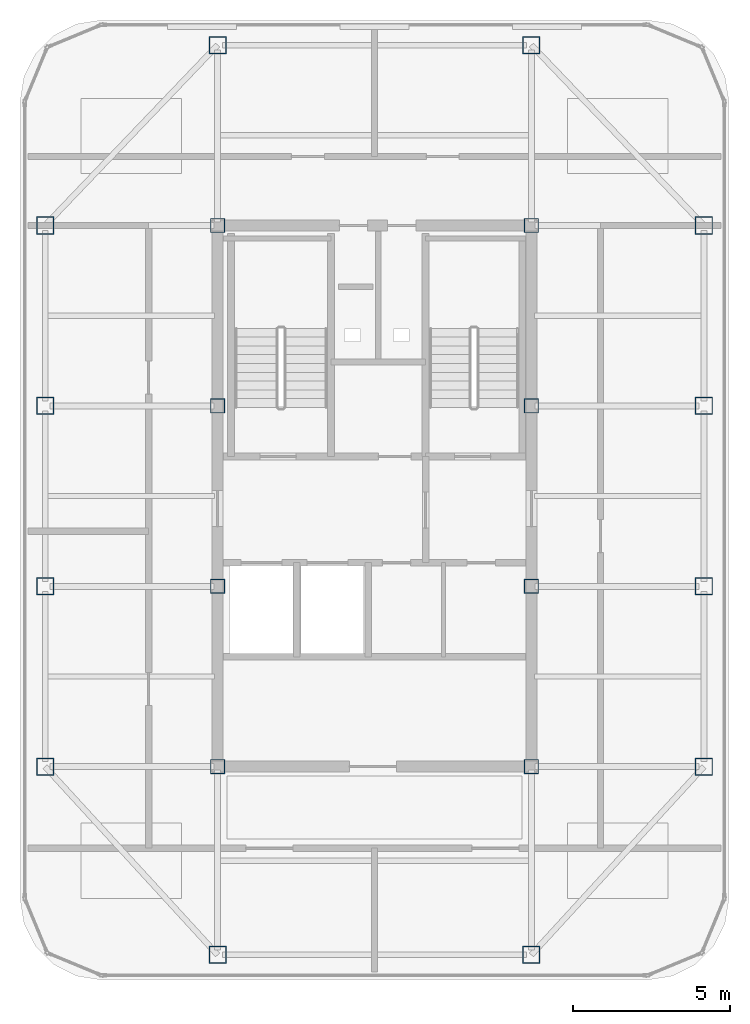
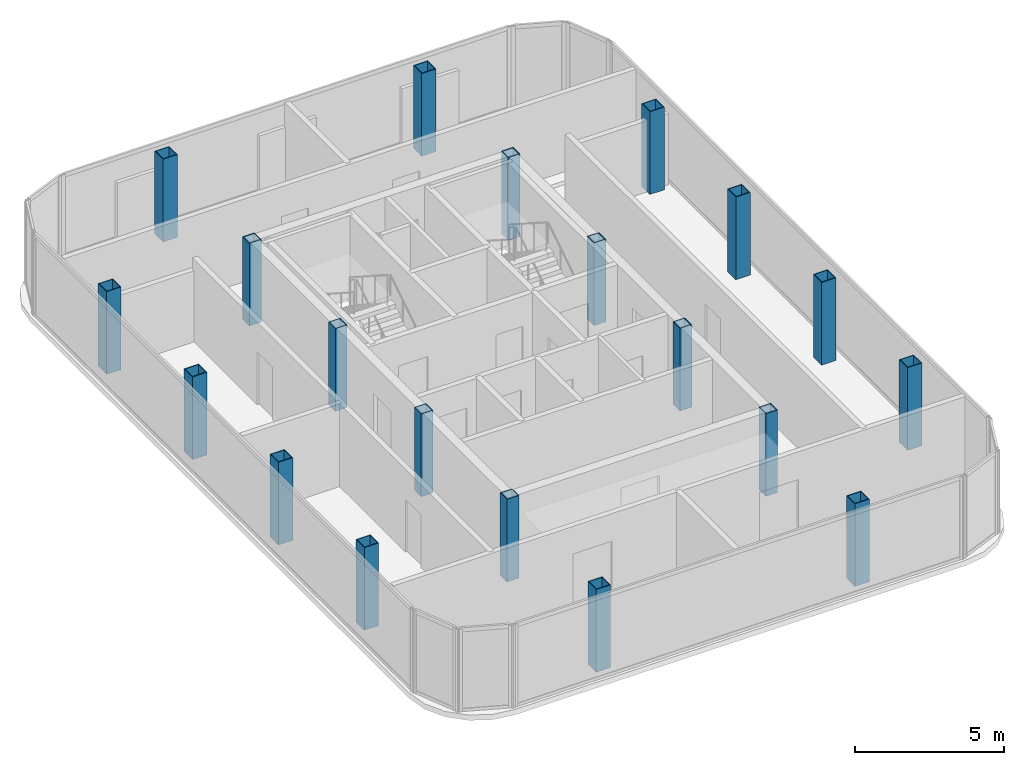
# One storey, part 1 of 11: 20 columns.
"""IFC4 building model written with IfcOpenShell, lengths in metres."""

from ifc_helpers import new_model, si_unit, direction, frame, origin, origin_2d, place, context, subcontext, project, spatial, hollow_rectangle, extrude, source, transform, mapped, material, material_profile, profile_set, type_object, element, save


model = new_model("IFC4")

# Units and contexts
model_context = context("Model", 3, precision=1e-05, world=origin(), true_north=direction((0.0, 1.0)))
body_context = subcontext(model_context, "Body", "Model", "MODEL_VIEW")
ifc_project = project(units=[si_unit("LENGTHUNIT", "METRE"), si_unit("AREAUNIT", "SQUARE_METRE"), si_unit("VOLUMEUNIT", "CUBIC_METRE"), si_unit("PLANEANGLEUNIT", "RADIAN"), si_unit("MASSUNIT", "GRAM", prefix="KILO")], contexts=[model_context])

# Site, building, storey
site_placement = place(None, origin())
site = spatial("IfcSite", under=ifc_project, at=site_placement, CompositionType="ELEMENT")
building_placement = place(site_placement, origin())
building = spatial("IfcBuilding", under=site, at=building_placement, Name="Kolveth Station Tower", CompositionType="ELEMENT")
storey_placement = place(building_placement, frame((0.0, 0.0, 289.300048828125)))
storey = spatial("IfcBuildingStorey", under=building, at=storey_placement, Name="L83", CompositionType="ELEMENT", Elevation=289.300048828125)

# Columns
ifc_material = material(Name="Steel S355", Category="steel")
ifc_material_profile_1 = material_profile(ifc_material, hollow_rectangle(XDim=0.56005859375, YDim=0.56005859375, WallThickness=0.030029296875, at=origin_2d()), Name="BOX560x560x30")
ifc_profile_set_1 = profile_set([ifc_material_profile_1], Name="Steel S355")
column_type_1 = type_object("IfcColumnType", Name="Col_C8", PredefinedType="COLUMN", material=ifc_profile_set_1)
shared_shape_1 = source(origin(), body_context, "Body", "SweptSolid", [
    extrude(hollow_rectangle(XDim=0.56005859375, YDim=0.56005859375, WallThickness=0.030029296875, at=origin_2d()), origin(), (0.0, 0.0, 1.0), 3.3798828125),
])
for number, where, z_axis, x_axis, name in (
    (1, (18.5, 5.5, 0.0), (0.0, 0.0, 1.0), (1.0, 0.0, 0.0), "L83 Tower Column S-X185"),
    (2, (18.5, 34.5, 0.0), (0.0, 0.0, 1.0), (1.0, 0.0, 0.0), "L83 Tower Column N-X185"),
    (3, (28.5, 5.5, 0.0), (0.0, 0.0, 1.0), (1.0, 0.0, 0.0), "L83 Tower Column S-X285"),
    (4, (28.5, 34.5, 0.0), (0.0, 0.0, 1.0), (1.0, 0.0, 0.0), "L83 Tower Column N-X285"),
    (5, (13.0, 11.5, 0.0), (0.0, 0.0, 1.0), (1.0, 0.0, 0.0), "L83 Tower Column W-Y115"),
    (6, (34.0, 11.5, 0.0), (0.0, 0.0, 1.0), (1.0, 0.0, 0.0), "L83 Tower Column E-Y115"),
    (7, (13.0, 17.25, 0.0), (0.0, 0.0, 1.0), (1.0, 0.0, 0.0), "L83 Tower Column W-Y172"),
    (8, (34.0, 17.25, 0.0), (0.0, 0.0, 1.0), (1.0, 0.0, 0.0), "L83 Tower Column E-Y172"),
    (9, (13.0, 23.0, 0.0), (0.0, 0.0, 1.0), (1.0, 0.0, 0.0), "L83 Tower Column W-Y230"),
    (10, (34.0, 23.0, 0.0), (0.0, 0.0, 1.0), (1.0, 0.0, 0.0), "L83 Tower Column E-Y230"),
    (11, (13.0, 28.75, 0.0), (0.0, 0.0, 1.0), (1.0, 0.0, 0.0), "L83 Tower Column W-Y287"),
    (12, (34.0, 28.75, 0.0), (0.0, 0.0, 1.0), (1.0, 0.0, 0.0), "L83 Tower Column E-Y287"),
):
    element("IfcColumn", number, at=place(storey_placement, frame(where, z_axis=z_axis, x_axis=x_axis)), inside=storey, type_object=column_type_1, Name=name, PredefinedType="COLUMN", context=body_context, shape_type="MappedRepresentation", body=[
        mapped(shared_shape_1, transform((0.0, 0.0, 0.0), x_axis=(1.0, 0.0, 0.0), y_axis=(0.0, 1.0, 0.0), z_axis=(0.0, 0.0, 1.0), scale=1.0)),
    ])
ifc_material_profile_2 = material_profile(ifc_material, hollow_rectangle(XDim=0.4599609375, YDim=0.4599609375, WallThickness=0.02490234375, at=origin_2d()), Name="BOX460x460x25")
ifc_profile_set_2 = profile_set([ifc_material_profile_2], Name="Steel S355")
column_type_2 = type_object("IfcColumnType", Name="Col_C9", PredefinedType="COLUMN", material=ifc_profile_set_2)
shared_shape_2 = source(origin(), body_context, "Body", "SweptSolid", [
    extrude(hollow_rectangle(XDim=0.4599609375, YDim=0.4599609375, WallThickness=0.02490234375, at=origin_2d()), origin(), (0.0, 0.0, 1.0), 3.3798828125),
])
for number, where, z_axis, x_axis, name in (
    (13, (18.5, 11.5, 0.0), (0.0, 0.0, 1.0), (1.0, 0.0, 0.0), "L83 Tower Column G-185-115"),
    (14, (18.5, 17.25, 0.0), (0.0, 0.0, 1.0), (1.0, 0.0, 0.0), "L83 Tower Column G-185-172"),
    (15, (18.5, 23.0, 0.0), (0.0, 0.0, 1.0), (1.0, 0.0, 0.0), "L83 Tower Column G-185-230"),
    (16, (18.5, 28.75, 0.0), (0.0, 0.0, 1.0), (1.0, 0.0, 0.0), "L83 Tower Column G-185-287"),
    (17, (28.5, 11.5, 0.0), (0.0, 0.0, 1.0), (1.0, 0.0, 0.0), "L83 Tower Column G-285-115"),
    (18, (28.5, 17.25, 0.0), (0.0, 0.0, 1.0), (1.0, 0.0, 0.0), "L83 Tower Column G-285-172"),
    (19, (28.5, 23.0, 0.0), (0.0, 0.0, 1.0), (1.0, 0.0, 0.0), "L83 Tower Column G-285-230"),
    (20, (28.5, 28.75, 0.0), (0.0, 0.0, 1.0), (1.0, 0.0, 0.0), "L83 Tower Column G-285-287"),
):
    element("IfcColumn", number, at=place(storey_placement, frame(where, z_axis=z_axis, x_axis=x_axis)), inside=storey, type_object=column_type_2, Name=name, PredefinedType="COLUMN", context=body_context, shape_type="MappedRepresentation", body=[
        mapped(shared_shape_2, transform((0.0, 0.0, 0.0), x_axis=(1.0, 0.0, 0.0), y_axis=(0.0, 1.0, 0.0), z_axis=(0.0, 0.0, 1.0), scale=1.0)),
    ])

save(model, "model.ifc")
